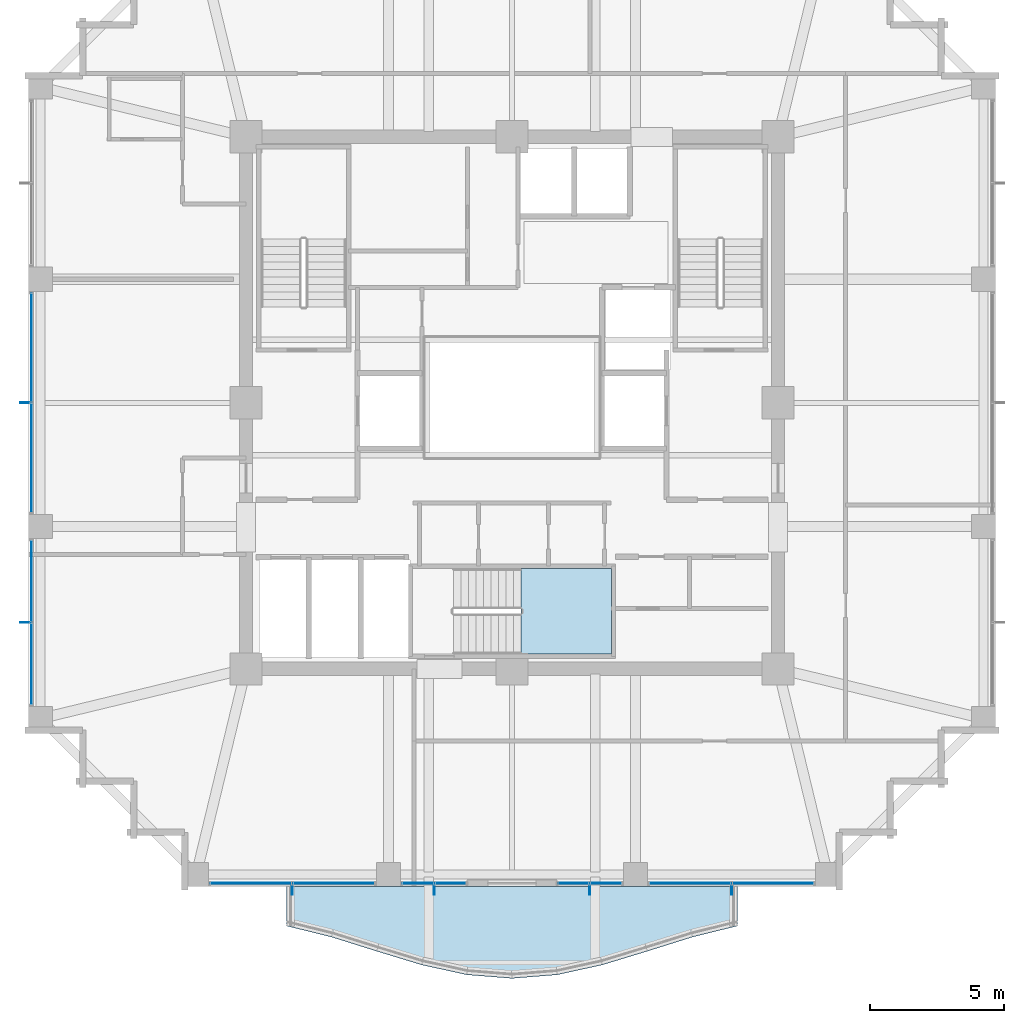
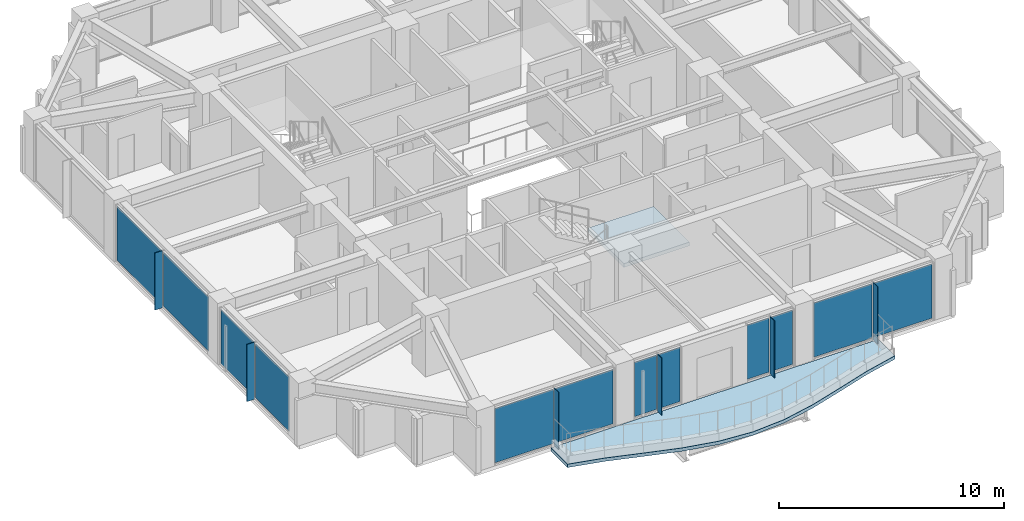
# One storey, part 22 of 31: 18 plates, 2 slabs, 7 elements without a shape of their own.
"""IFC4 building model written with IfcOpenShell, lengths in metres."""

from ifc_helpers import new_model, si_unit, direction, frame, origin, origin_2d, place, context, subcontext, project, spatial, polyline, rectangle, outline, extrude, material, layer, layer_set, type_object, element, aggregate, save


model = new_model("IFC4")

# Units and contexts
model_context = context("Model", 3, precision=1e-05, world=origin(), true_north=direction((0.0, 1.0)))
body_context = subcontext(model_context, "Body", "Model", "MODEL_VIEW")
ifc_project = project(units=[si_unit("LENGTHUNIT", "METRE"), si_unit("AREAUNIT", "SQUARE_METRE"), si_unit("VOLUMEUNIT", "CUBIC_METRE"), si_unit("PLANEANGLEUNIT", "RADIAN"), si_unit("MASSUNIT", "GRAM", prefix="KILO")], contexts=[model_context])

# Site, building, storey
site_placement = place(None, origin())
site = spatial("IfcSite", under=ifc_project, at=site_placement, CompositionType="ELEMENT")
building_placement = place(site_placement, origin())
building = spatial("IfcBuilding", under=site, at=building_placement, Name="Kolvaren Belvedere", CompositionType="ELEMENT")
storey_placement = place(building_placement, frame((0.0, 0.0, 134.89990234375)))
storey = spatial("IfcBuildingStorey", under=building, at=storey_placement, Name="L39", CompositionType="ELEMENT", Elevation=134.89990234375)

# Curtain wall, plates
ifc_material_1 = material(Name="Anodised pale-metal aluminium AA 6063-T6", Category="aluminium")
curtain_wall_type = type_object("IfcCurtainWallType", Name="CW-Z3-WAIST", PredefinedType="NOTDEFINED", material=ifc_material_1)
curtain_wall_1_placement = place(storey_placement, origin())
curtain_wall_1 = element("IfcCurtainWall", 1, at=curtain_wall_1_placement, inside=storey, type_object=curtain_wall_type, Name="L39 Unitised Curtain Wall FCW-L39-S1-B1", PredefinedType="NOTDEFINED")
ifc_material_2 = material(Name="Low-iron triple insulated glass", Category="glass")
ifc_layer_1 = layer(ifc_material_2, 0.028076171875)
ifc_layer_set_1 = layer_set([ifc_layer_1], Name="Low-iron triple insulated glass")
plate_type_1 = type_object("IfcPlateType", Name="CW-PNL-VIS28", PredefinedType="CURTAIN_PANEL", material=ifc_layer_set_1)
plate_1_placement = place(storey_placement, frame((9.711181640625, -17.8798828125, 0.080078125), z_axis=(0.0, 0.0, 1.0), x_axis=(-1.0, 0.0, 0.0)))
plate_1 = element("IfcPlate", 2, at=plate_1_placement, type_object=plate_type_1, Name="FCW-L39-S1-B1 Vision Glazing Panel 1", PredefinedType="CURTAIN_PANEL", context=body_context, shape_type="SweptSolid", body=[
    extrude(rectangle(XDim=2.992431640625, YDim=0.028076171875, at=origin_2d()), origin(), (0.0, 0.0, 1.0), 2.93994140625),
])
plate_2_placement = place(storey_placement, frame((6.638671875, -17.8798828125, 0.080078125), z_axis=(0.0, 0.0, 1.0), x_axis=(-1.0, 0.0, 0.0)))
plate_2 = element("IfcPlate", 3, at=plate_2_placement, type_object=plate_type_1, Name="FCW-L39-S1-B1 Vision Glazing Panel 2", PredefinedType="CURTAIN_PANEL", context=body_context, shape_type="SweptSolid", body=[
    extrude(rectangle(XDim=2.992431640625, YDim=0.028076171875, at=origin_2d()), origin(), (0.0, 0.0, 1.0), 2.93994140625),
])
aggregate(curtain_wall_1, [plate_1, plate_2])

curtain_wall_2_placement = place(storey_placement, origin())
curtain_wall_2 = element("IfcCurtainWall", 4, at=curtain_wall_2_placement, inside=storey, type_object=curtain_wall_type, Name="L39 Unitised Curtain Wall FCW-L39-S1-B2", PredefinedType="NOTDEFINED")
plate_3_placement = place(storey_placement, frame((3.4931640625, -17.8798828125, 0.080078125), z_axis=(0.0, 0.0, 1.0), x_axis=(-1.0, 0.0, 0.0)))
plate_3 = element("IfcPlate", 5, at=plate_3_placement, type_object=plate_type_1, Name="FCW-L39-S1-B2 Vision Glazing Panel 1", PredefinedType="CURTAIN_PANEL", context=body_context, shape_type="SweptSolid", body=[
    extrude(rectangle(XDim=1.12890625, YDim=0.028076171875, at=origin_2d()), origin(), (0.0, 0.0, 1.0), 2.93994140625),
])
plate_4_placement = place(storey_placement, frame((2.284423828125, -17.8798828125, 0.080078125), z_axis=(0.0, 0.0, 1.0), x_axis=(-1.0, 0.0, 0.0)))
plate_4 = element("IfcPlate", 6, at=plate_4_placement, type_object=plate_type_1, Name="FCW-L39-S1-B2 Vision Glazing Panel 2", PredefinedType="CURTAIN_PANEL", context=body_context, shape_type="SweptSolid", body=[
    extrude(rectangle(XDim=1.12890625, YDim=0.028076171875, at=origin_2d()), origin(), (0.0, 0.0, 1.0), 2.93994140625),
])
aggregate(curtain_wall_2, [plate_3, plate_4])

curtain_wall_3_placement = place(storey_placement, origin())
curtain_wall_3 = element("IfcCurtainWall", 7, at=curtain_wall_3_placement, inside=storey, type_object=curtain_wall_type, Name="L39 Unitised Curtain Wall FCW-L39-S2-B1", PredefinedType="NOTDEFINED")
plate_5_placement = place(storey_placement, frame((-2.284423828125, -17.8798828125, 0.080078125), z_axis=(0.0, 0.0, 1.0), x_axis=(-1.0, 0.0, 0.0)))
plate_5 = element("IfcPlate", 8, at=plate_5_placement, type_object=plate_type_1, Name="FCW-L39-S2-B1 Vision Glazing Panel 1", PredefinedType="CURTAIN_PANEL", context=body_context, shape_type="SweptSolid", body=[
    extrude(rectangle(XDim=1.12890625, YDim=0.028076171875, at=origin_2d()), origin(), (0.0, 0.0, 1.0), 2.93994140625),
])
plate_6_placement = place(storey_placement, frame((-3.4931640625, -17.8798828125, 0.080078125), z_axis=(0.0, 0.0, 1.0), x_axis=(-1.0, 0.0, 0.0)))
plate_6 = element("IfcPlate", 9, at=plate_6_placement, type_object=plate_type_1, Name="FCW-L39-S2-B1 Vision Glazing Panel 2", PredefinedType="CURTAIN_PANEL", context=body_context, shape_type="SweptSolid", body=[
    extrude(rectangle(XDim=1.12890625, YDim=0.028076171875, at=origin_2d()), origin(), (0.0, 0.0, 1.0), 2.93994140625),
])
aggregate(curtain_wall_3, [plate_5, plate_6])

curtain_wall_4_placement = place(storey_placement, origin())
curtain_wall_4 = element("IfcCurtainWall", 10, at=curtain_wall_4_placement, inside=storey, type_object=curtain_wall_type, Name="L39 Unitised Curtain Wall FCW-L39-S2-B2", PredefinedType="NOTDEFINED")
plate_7_placement = place(storey_placement, frame((-6.638671875, -17.8798828125, 0.080078125), z_axis=(0.0, 0.0, 1.0), x_axis=(-1.0, 0.0, 0.0)))
plate_7 = element("IfcPlate", 11, at=plate_7_placement, type_object=plate_type_1, Name="FCW-L39-S2-B2 Vision Glazing Panel 1", PredefinedType="CURTAIN_PANEL", context=body_context, shape_type="SweptSolid", body=[
    extrude(rectangle(XDim=2.992431640625, YDim=0.028076171875, at=origin_2d()), origin(), (0.0, 0.0, 1.0), 2.93994140625),
])
plate_8_placement = place(storey_placement, frame((-9.711181640625, -17.8798828125, 0.080078125), z_axis=(0.0, 0.0, 1.0), x_axis=(-1.0, 0.0, 0.0)))
plate_8 = element("IfcPlate", 12, at=plate_8_placement, type_object=plate_type_1, Name="FCW-L39-S2-B2 Vision Glazing Panel 2", PredefinedType="CURTAIN_PANEL", context=body_context, shape_type="SweptSolid", body=[
    extrude(rectangle(XDim=2.992431640625, YDim=0.028076171875, at=origin_2d()), origin(), (0.0, 0.0, 1.0), 2.93994140625),
])
aggregate(curtain_wall_4, [plate_7, plate_8])

curtain_wall_5_placement = place(storey_placement, origin())
curtain_wall_5 = element("IfcCurtainWall", 13, at=curtain_wall_5_placement, inside=storey, type_object=curtain_wall_type, Name="L39 Unitised Curtain Wall FCW-L39-W-B1", PredefinedType="NOTDEFINED")
plate_9_placement = place(storey_placement, frame((-17.8798828125, -9.711181640625, 0.080078125), z_axis=(0.0, 0.0, 1.0), x_axis=(0.0, 1.0, 0.0)))
plate_9 = element("IfcPlate", 14, at=plate_9_placement, type_object=plate_type_1, Name="FCW-L39-W-B1 Vision Glazing Panel 1", PredefinedType="CURTAIN_PANEL", context=body_context, shape_type="SweptSolid", body=[
    extrude(rectangle(XDim=2.992431640625, YDim=0.028076171875, at=origin_2d()), origin(), (0.0, 0.0, 1.0), 2.93994140625),
])
plate_10_placement = place(storey_placement, frame((-17.8798828125, -6.638671875, 0.080078125), z_axis=(0.0, 0.0, 1.0), x_axis=(0.0, 1.0, 0.0)))
plate_10 = element("IfcPlate", 15, at=plate_10_placement, type_object=plate_type_1, Name="FCW-L39-W-B1 Vision Glazing Panel 2", PredefinedType="CURTAIN_PANEL", context=body_context, shape_type="SweptSolid", body=[
    extrude(rectangle(XDim=2.992431640625, YDim=0.028076171875, at=origin_2d()), origin(), (0.0, 0.0, 1.0), 2.93994140625),
])
aggregate(curtain_wall_5, [plate_9, plate_10])

curtain_wall_6_placement = place(storey_placement, origin())
curtain_wall_6 = element("IfcCurtainWall", 16, at=curtain_wall_6_placement, inside=storey, type_object=curtain_wall_type, Name="L39 Unitised Curtain Wall FCW-L39-W-B2", PredefinedType="NOTDEFINED")
plate_11_placement = place(storey_placement, frame((-17.8798828125, -2.048828125, 0.080078125), z_axis=(0.0, 0.0, 1.0), x_axis=(0.0, 1.0, 0.0)))
plate_11 = element("IfcPlate", 17, at=plate_11_placement, type_object=plate_type_1, Name="FCW-L39-W-B2 Vision Glazing Panel 1", PredefinedType="CURTAIN_PANEL", context=body_context, shape_type="SweptSolid", body=[
    extrude(rectangle(XDim=4.017578125, YDim=0.028076171875, at=origin_2d()), origin(), (0.0, 0.0, 1.0), 2.93994140625),
])
plate_12_placement = place(storey_placement, frame((-17.8798828125, 2.048828125, 0.080078125), z_axis=(0.0, 0.0, 1.0), x_axis=(0.0, 1.0, 0.0)))
plate_12 = element("IfcPlate", 18, at=plate_12_placement, type_object=plate_type_1, Name="FCW-L39-W-B2 Vision Glazing Panel 2", PredefinedType="CURTAIN_PANEL", context=body_context, shape_type="SweptSolid", body=[
    extrude(rectangle(XDim=4.017578125, YDim=0.028076171875, at=origin_2d()), origin(), (0.0, 0.0, 1.0), 2.93994140625),
])
aggregate(curtain_wall_6, [plate_11, plate_12])

# Plates
ifc_material_3 = material(Name="Anodised pale-metal aluminium AA 6063-T6", Category="aluminium")
ifc_layer_2 = layer(ifc_material_3, 0.033935546875)
ifc_layer_set_2 = layer_set([ifc_layer_2], Name="Anodised pale-metal aluminium AA 6063-T6")
plate_type_2 = type_object("IfcPlateType", Name="FIN-VERT-380", PredefinedType="USERDEFINED", material=ifc_layer_set_2)
for number, where, z_axis, x_axis, name in (
    (19, (8.175048828125, -18.1201171875, 0.0), (0.0, 0.0, 1.0), (0.0, 1.0, 0.0), "L39 Pale-Metal Vertical Shading Fin FCW-L39-S1-B1-1"),
    (20, (2.888671875, -18.1201171875, 0.0), (0.0, 0.0, 1.0), (0.0, 1.0, 0.0), "L39 Pale-Metal Vertical Shading Fin FCW-L39-S1-B2-1"),
    (21, (-2.888671875, -18.1201171875, 0.0), (0.0, 0.0, 1.0), (0.0, 1.0, 0.0), "L39 Pale-Metal Vertical Shading Fin FCW-L39-S2-B1-1"),
    (22, (-8.175048828125, -18.1201171875, 0.0), (0.0, 0.0, 1.0), (0.0, 1.0, 0.0), "L39 Pale-Metal Vertical Shading Fin FCW-L39-S2-B2-1"),
    (23, (-18.1201171875, -8.175048828125, 0.0), (0.0, 0.0, 1.0), (1.0, 0.0, 0.0), "L39 Pale-Metal Vertical Shading Fin FCW-L39-W-B1-1"),
    (24, (-18.1201171875, 0.0, 0.0), (0.0, 0.0, 1.0), (1.0, 0.0, 0.0), "L39 Pale-Metal Vertical Shading Fin FCW-L39-W-B2-1"),
):
    element("IfcPlate", number, at=place(storey_placement, frame(where, z_axis=z_axis, x_axis=x_axis)), inside=storey, type_object=plate_type_2, Name=name, ObjectType="VERTICAL FIN", PredefinedType="USERDEFINED", context=body_context, shape_type="SweptSolid", body=[
        extrude(rectangle(XDim=0.3798828125, YDim=0.033935546875, at=origin_2d()), origin(), (0.0, 0.0, 1.0), 3.10009765625),
    ])

# Slab
ifc_material_4 = material(Name="Concrete C50/60", Category="concrete")
ifc_layer_3 = layer(ifc_material_4, 0.179931640625)
ifc_layer_set_3 = layer_set([ifc_layer_3], Name="Concrete C50/60")
slab_type_1 = type_object("IfcSlabType", Name="SL-BAL-180", PredefinedType="FLOOR", material=ifc_layer_set_3)
slab_1_placement = place(storey_placement, frame((0.0, 0.0, -0.199951171875)))
element("IfcSlab", 25, at=slab_1_placement, inside=storey, type_object=slab_type_1, Name="L39 Planted Balcony BAL-S", PredefinedType="FLOOR", context=body_context, shape_type="SweptSolid", body=[
    extrude(outline(polyline([(-8.39990234375, -19.46630859375), (-6.719970703125, -19.880126953125), (-5.0400390625, -20.40771484375), (-3.360107421875, -20.918701171875), (-1.679931640625, -21.286376953125), (0.0, -21.419921875), (1.679931640625, -21.286376953125), (3.360107421875, -20.918701171875), (5.0400390625, -20.40771484375), (6.719970703125, -19.880126953125), (8.39990234375, -19.46630859375), (8.39990234375, -18.0), (6.719970703125, -18.0), (5.0400390625, -18.0), (3.360107421875, -18.0), (1.679931640625, -18.0), (0.0, -18.0), (-1.679931640625, -18.0), (-3.360107421875, -18.0), (-5.0400390625, -18.0), (-6.719970703125, -18.0), (-8.39990234375, -18.0), (-8.39990234375, -19.46630859375)])), origin(), (0.0, 0.0, 1.0), 0.179931640625),
])

# Stair, slab
ifc_material_5 = material(Name="Concrete C50/60", Category="concrete")
stair_type = type_object("IfcStairType", Name="ST-CORE-1520", PredefinedType="HALF_TURN_STAIR", material=ifc_material_5)
stair_placement = place(storey_placement, origin())
stair = element("IfcStair", 26, at=stair_placement, inside=storey, type_object=stair_type, Name="L39 Protected Exit Stair ST-3", PredefinedType="HALF_TURN_STAIR")
ifc_material_6 = material(Name="Concrete C50/60", Category="concrete")
ifc_layer_4 = layer(ifc_material_6, 0.260009765625)
ifc_layer_set_4 = layer_set([ifc_layer_4], Name="Concrete C50/60")
slab_type_2 = type_object("IfcSlabType", Name="SL-LAND-260", PredefinedType="LANDING", material=ifc_layer_set_4)
slab_2_placement = place(storey_placement, frame((0.0, 0.0, 1.4501953125)))
slab_2 = element("IfcSlab", 27, at=slab_2_placement, type_object=slab_type_2, Name="ST-3 landing 1", PredefinedType="LANDING", context=body_context, shape_type="SweptSolid", body=[
    extrude(outline(polyline([(0.340087890625, -9.35009765625), (3.699951171875, -9.35009765625), (3.699951171875, -6.159912109375), (0.340087890625, -6.159912109375), (0.340087890625, -9.35009765625)])), origin(), (0.0, 0.0, 1.0), 0.199951171875),
])
aggregate(stair, [slab_2])

save(model, "model.ifc")
